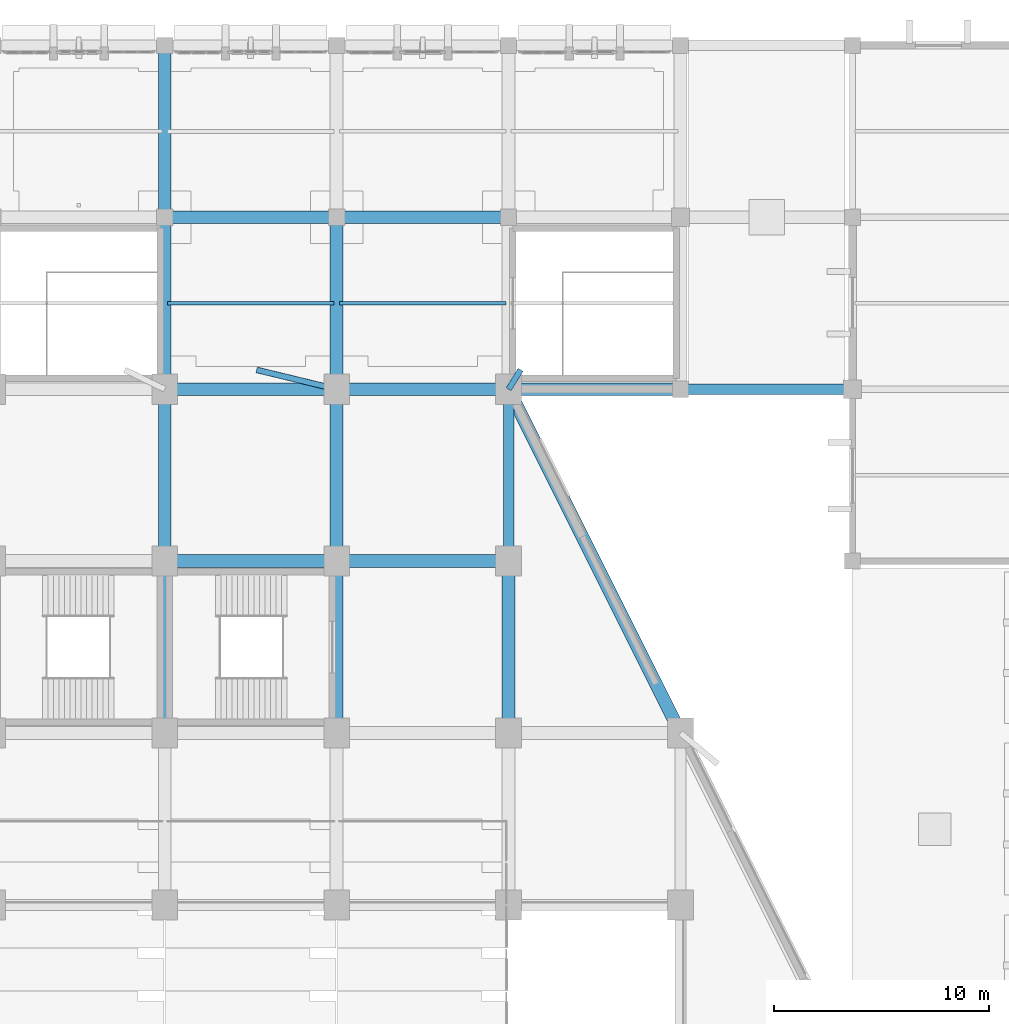
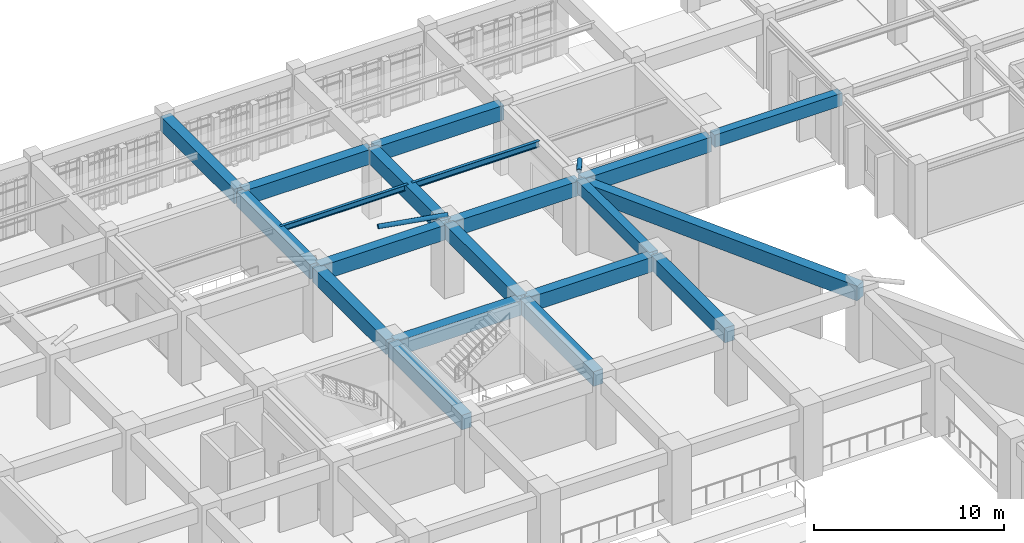
# One storey, part 32 of 155: 20 beams, 2 members.
"""IFC4 building model written with IfcOpenShell, lengths in metres."""

import ifcopenshell
import ifcopenshell.guid

model = None  # the IFC model being written
_history = None  # IfcOwnerHistory: only IFC2X3 demands one
_inside = {}  # id of a spatial element -> (the spatial element, [elements in it])
_under = {}  # id of a project, library or spatial element -> (it, [spatial elements below it])
_declared = {}  # id of a project -> (the project, [libraries it declares])
_typed = {}  # id of a type object -> (the type object, [elements of that type])
_made_of = {}  # id of a material, layer set ... -> (it, [elements and type objects made of it])


def new_model(schema):
    """Start an empty IFC model of exactly this schema.

    Asked for "IFC4X3", IfcOpenShell would pick the latest addendum, in which some entities
    have other attributes; the version numbers below select the first issue.
    IFC2X3 requires an IfcOwnerHistory on every rooted entity: one is made here for all.
    """
    global model, _history
    if schema == "IFC4X3":
        model = ifcopenshell.file(schema_version=(4, 3, 0, 0))
    else:
        model = ifcopenshell.file(schema=schema)
    _inside.clear()
    _under.clear()
    _declared.clear()
    _typed.clear()
    _made_of.clear()
    _history = None
    if model.schema == "IFC2X3":
        org = make("IfcOrganization", Name="unknown")
        user = make(
            "IfcPersonAndOrganization",
            ThePerson=make("IfcPerson", FamilyName="unknown"),
            TheOrganization=org,
        )
        app = make(
            "IfcApplication",
            ApplicationDeveloper=org,
            Version="unknown",
            ApplicationFullName="unknown",
            ApplicationIdentifier="unknown",
        )
        _history = make(
            "IfcOwnerHistory",
            OwningUser=user,
            OwningApplication=app,
            ChangeAction="ADDED",
            CreationDate=0,
        )
    return model


def make(cls, **values):
    """One entity of the class cls with the attributes given. An attribute that is None is left unset."""
    return model.create_entity(
        cls, **{name: value for name, value in values.items() if value is not None}
    )


def rooted(cls, **values):
    """An entity with a GlobalId (a new one), such as an element, a storey or a relation."""
    return make(cls, GlobalId=ifcopenshell.guid.new(), OwnerHistory=_history, **values)


def si_unit(unit_type, name, prefix=None):
    """IfcSIUnit, for example si_unit("LENGTHUNIT", "METRE", prefix="MILLI")."""
    return make("IfcSIUnit", UnitType=unit_type, Prefix=prefix, Name=name)


def assignment(units):
    """IfcUnitAssignment: the units of a project."""
    return None if units is None else make("IfcUnitAssignment", Units=units)


def point(xyz):
    """IfcCartesianPoint."""
    return None if xyz is None else make("IfcCartesianPoint", Coordinates=xyz)


def direction(xyz):
    """IfcDirection."""
    return None if xyz is None else make("IfcDirection", DirectionRatios=xyz)


def frame(location, z_axis=None, x_axis=None):
    """IfcAxis2Placement3D, a coordinate frame: its origin and axes. An axis left out is left unset."""
    return make(
        "IfcAxis2Placement3D",
        Location=point(location),
        Axis=direction(z_axis),
        RefDirection=direction(x_axis),
    )


def frame_2d(location, x_axis=None):
    """IfcAxis2Placement2D, a coordinate frame in the plane: its origin and x axis."""
    return make(
        "IfcAxis2Placement2D", Location=point(location), RefDirection=direction(x_axis)
    )


def origin():
    """The frame at (0, 0, 0) with its axes left unset."""
    return frame((0.0, 0.0, 0.0))


def origin_2d():
    """The frame at (0, 0) in the plane with its x axis left unset."""
    return frame_2d((0.0, 0.0))


def place(relative_to, where):
    """IfcLocalPlacement: puts the frame where relative to a parent placement (None: the world)."""
    return make(
        "IfcLocalPlacement", PlacementRelTo=relative_to, RelativePlacement=where
    )


def context(
    kind, dimensions, precision=None, world=None, true_north=None, identifier=None
):
    """IfcGeometricRepresentationContext, for example the 3D "Model" context."""
    return make(
        "IfcGeometricRepresentationContext",
        ContextIdentifier=identifier,
        ContextType=kind,
        CoordinateSpaceDimension=dimensions,
        Precision=precision,
        WorldCoordinateSystem=world,
        TrueNorth=true_north,
    )


def subcontext(parent, identifier, kind, view, scale=None):
    """IfcGeometricRepresentationSubContext, for example "Body" below "Model"."""
    return make(
        "IfcGeometricRepresentationSubContext",
        ContextIdentifier=identifier,
        ContextType=kind,
        ParentContext=parent,
        TargetScale=scale,
        TargetView=view,
    )


def project(units=None, contexts=None):
    """IfcProject with its units and contexts."""
    return rooted(
        "IfcProject",
        Name="project",
        RepresentationContexts=contexts,
        UnitsInContext=assignment(units),
    )


def spatial(cls, under=None, at=None, **own):
    """A site, building, storey or space (cls), placed at a placement, below another one or the project."""
    s = rooted(cls, ObjectPlacement=at, **own)
    if under is not None:
        _under.setdefault(under.id(), (under, []))[1].append(s)
    return s


def profile(cls, at=None, kind="AREA", **sizes):
    """A parametric profile (cls). Its sizes go by their IFC names, for example OverallWidth=200.0."""
    return make(cls, ProfileType=kind, Position=at, **sizes)


def rectangle(**sizes):
    """IfcRectangleProfileDef."""
    return profile("IfcRectangleProfileDef", **sizes)


def hollow_circle(**sizes):
    """IfcCircleHollowProfileDef."""
    return profile("IfcCircleHollowProfileDef", **sizes)


def i_section(**sizes):
    """IfcIShapeProfileDef."""
    return profile("IfcIShapeProfileDef", **sizes)


def extrude(swept, where, along, depth):
    """IfcExtrudedAreaSolid: the profile swept, set in the frame where, extruded along a direction by depth."""
    return make(
        "IfcExtrudedAreaSolid",
        SweptArea=swept,
        Position=where,
        ExtrudedDirection=direction(along),
        Depth=depth,
    )


def shape(context_of_items, identifier, shape_type, items):
    """IfcShapeRepresentation: the items that make up one representation, for example the "Body"."""
    return make(
        "IfcShapeRepresentation",
        ContextOfItems=context_of_items,
        RepresentationIdentifier=identifier,
        RepresentationType=shape_type,
        Items=items,
    )


def material(Name=None, Category=None):
    """IfcMaterial."""
    return make("IfcMaterial", Name=Name, Category=Category)


def material_profile(
    of_material, cross_section, Name=None, Category=None, Priority=None
):
    """IfcMaterialProfile: a cross section and its material."""
    return make(
        "IfcMaterialProfile",
        Name=Name,
        Material=of_material,
        Profile=cross_section,
        Priority=Priority,
        Category=Category,
    )


def profile_set(profiles, Name=None, composite=None):
    """IfcMaterialProfileSet."""
    return make(
        "IfcMaterialProfileSet",
        Name=Name,
        MaterialProfiles=profiles,
        CompositeProfile=composite,
    )


def made_of(thing, what):
    """Note that an element or type object is made of a material, layer set ...; save() writes the relation."""
    if what is not None:
        _made_of.setdefault(what.id(), (what, []))[1].append(thing)
    return thing


def type_object(cls, material=None, **own):
    """A type object (cls), such as IfcWallType, which elements share."""
    return made_of(rooted(cls, **own), material)


def element(
    cls,
    number,
    at=None,
    inside=None,
    cuts=None,
    type_object=None,
    material=None,
    context=None,
    identifier="Body",
    shape_type=None,
    held_by="IfcProductDefinitionShape",
    body=None,
    shapes=None,
    **own,
):
    """One element of the class cls, such as IfcWall. Its Tag is "e" and its number.

    at: its placement. inside: the storey or other place that contains it. cuts: it is an
    opening in that element (IfcRelVoidsElement). A single representation is given by context,
    identifier, shape_type and body (its items); several are given by shapes. held_by: the class
    of the entity that holds the representations. save() writes the other relations.
    """
    e = rooted(cls, Tag="e%d" % number, ObjectPlacement=at, **own)
    if body is not None:
        shapes = [shape(context, identifier, shape_type, body)]
    if shapes is not None:
        e.Representation = make(held_by, Representations=shapes)
    if inside is not None:
        _inside.setdefault(inside.id(), (inside, []))[1].append(e)
    if cuts is not None:
        rooted(
            "IfcRelVoidsElement", RelatingBuildingElement=cuts, RelatedOpeningElement=e
        )
    if type_object is not None:
        _typed.setdefault(type_object.id(), (type_object, []))[1].append(e)
    return made_of(e, material)


def aggregate(whole, parts):
    """IfcRelAggregates: a whole, such as a stair, and the parts it consists of."""
    return rooted("IfcRelAggregates", RelatingObject=whole, RelatedObjects=parts)


def save(model, path):
    """Write the relations noted so far, then the file.

    IfcRelAggregates (storeys below a building ...), IfcRelContainedInSpatialStructure (elements
    in a storey), IfcRelDefinesByType, IfcRelAssociatesMaterial and IfcRelDeclares: one each for
    every whole, place, type object, material and project.
    """
    for whole, parts in _under.values():
        aggregate(whole, parts)
    for where, things in _inside.values():
        rooted(
            "IfcRelContainedInSpatialStructure",
            RelatedElements=things,
            RelatingStructure=where,
        )
    for kind, things in _typed.values():
        rooted("IfcRelDefinesByType", RelatedObjects=things, RelatingType=kind)
    for what, things in _made_of.values():
        rooted("IfcRelAssociatesMaterial", RelatedObjects=things, RelatingMaterial=what)
    for by, libraries in _declared.values():
        rooted("IfcRelDeclares", RelatingContext=by, RelatedDefinitions=libraries)
    model.write(path)


model = new_model("IFC4")

# Units and contexts
model_context = context("Model", 3, precision=1e-05, world=origin(), true_north=direction((0.0, 1.0)))
body_context = subcontext(model_context, "Body", "Model", "MODEL_VIEW")
ifc_project = project(units=[si_unit("LENGTHUNIT", "METRE"), si_unit("AREAUNIT", "SQUARE_METRE"), si_unit("VOLUMEUNIT", "CUBIC_METRE"), si_unit("PLANEANGLEUNIT", "RADIAN"), si_unit("MASSUNIT", "GRAM", prefix="KILO")], contexts=[model_context])

# Site, building, storey
site_placement = place(None, origin())
site = spatial("IfcSite", under=ifc_project, at=site_placement, CompositionType="ELEMENT")
building_placement = place(site_placement, origin())
building = spatial("IfcBuilding", under=site, at=building_placement, Name="Tazarka Park Arena", CompositionType="ELEMENT")
storey_placement = place(building_placement, frame((0.0, 0.0, 5.39990234375)))
storey = spatial("IfcBuildingStorey", under=building, at=storey_placement, Name="L01", CompositionType="ELEMENT", Elevation=5.39990234375)

# Beams
ifc_material_1 = material(Name="Concrete C40/50", Category="concrete")
ifc_material_profile_1 = material_profile(ifc_material_1, rectangle(XDim=0.60009765625, YDim=0.949951171875, at=origin_2d()), Name="Concrete C40/50")
ifc_profile_set_1 = profile_set([ifc_material_profile_1], Name="Concrete C40/50")
beam_type_1 = type_object("IfcBeamType", Name="BM-B-03", PredefinedType="BEAM", material=ifc_profile_set_1)
for number, where, z_axis, x_axis, name in (
    (1, (96.0, 96.1201171875, 3.945068359375), (0.0, 1.0, 0.0), (-1.0, 0.0, 0.0), "GYM-L01-12-12"),
    (2, (96.1201171875, 104.0, 3.945068359375), (1.0, 0.0, 0.0), (0.0, 1.0, 0.0), "GXM-L01-12-13"),
    (3, (96.0, 104.1201171875, 3.945068359375), (0.0, 1.0, 0.0), (-1.0, 0.0, 0.0), "GYM-L01-12-13"),
    (4, (96.1201171875, 112.0, 3.945068359375), (1.0, 0.0, 0.0), (0.0, 1.0, 0.0), "GXM-L01-12-14"),
    (5, (96.0, 112.1201171875, 3.945068359375), (0.0, 1.0, 0.0), (-1.0, 0.0, 0.0), "GYM-L01-12-14"),
    (6, (96.1201171875, 120.0, 3.945068359375), (1.0, 0.0, 0.0), (0.0, 1.0, 0.0), "GXM-L01-12-15"),
    (7, (96.0, 120.1201171875, 3.945068359375), (0.0, 1.0, 0.0), (-1.0, 0.0, 0.0), "GYM-L01-12-15"),
    (8, (104.0, 96.1201171875, 3.945068359375), (0.0, 1.0, 0.0), (-1.0, 0.0, 0.0), "GYM-L01-13-12"),
    (9, (104.1201171875, 104.0, 3.945068359375), (1.0, 0.0, 0.0), (0.0, 1.0, 0.0), "GXM-L01-13-13"),
    (10, (104.0, 104.1201171875, 3.945068359375), (0.0, 1.0, 0.0), (-1.0, 0.0, 0.0), "GYM-L01-13-13"),
    (11, (104.1201171875, 112.0, 3.945068359375), (1.0, 0.0, 0.0), (0.0, 1.0, 0.0), "GXM-L01-13-14"),
    (12, (104.0, 112.1201171875, 3.945068359375), (0.0, 1.0, 0.0), (-1.0, 0.0, 0.0), "GYM-L01-13-14"),
    (13, (104.1201171875, 120.0, 3.945068359375), (1.0, 0.0, 0.0), (0.0, 1.0, 0.0), "GXM-L01-13-15"),
    (14, (112.0, 96.1201171875, 3.945068359375), (0.0, 1.0, 0.0), (-1.0, 0.0, 0.0), "GYM-L01-14-12"),
    (15, (112.1201171875, 112.0, 3.945068359375), (1.0, 0.0, 0.0), (0.0, 1.0, 0.0), "GXM-L01-14-14"),
):
    element("IfcBeam", number, at=place(storey_placement, frame(where, z_axis=z_axis, x_axis=x_axis)), inside=storey, type_object=beam_type_1, Name=name, PredefinedType="BEAM", context=body_context, shape_type="SweptSolid", body=[
        extrude(rectangle(XDim=0.60009765625, YDim=0.949951171875, at=origin_2d()), origin(), (0.0, 0.0, 1.0), 7.759765625),
    ])
ifc_material_2 = material(Name="Steel S355", Category="steel")
ifc_material_profile_2 = material_profile(ifc_material_2, i_section(OverallWidth=0.169921875, OverallDepth=0.360107421875, WebThickness=0.008056640625, FlangeThickness=0.0126953125, FilletRadius=0.01806640625, at=origin_2d()), Name="Steel S355")
ifc_profile_set_2 = profile_set([ifc_material_profile_2], Name="Steel S355")
beam_type_2 = type_object("IfcBeamType", Name="BM-J-02", PredefinedType="JOIST", material=ifc_profile_set_2)
beam_1_placement = place(storey_placement, frame((96.1201171875, 116.0, 4.239990234375), z_axis=(1.0, 0.0, 0.0), x_axis=(0.0, 1.0, 0.0)))
element("IfcBeam", 16, at=beam_1_placement, inside=storey, type_object=beam_type_2, Name="JST-L01-12-14", PredefinedType="JOIST", context=body_context, shape_type="SweptSolid", body=[
    extrude(i_section(OverallWidth=0.169921875, OverallDepth=0.360107421875, WebThickness=0.008056640625, FlangeThickness=0.0126953125, FilletRadius=0.01806640625, at=origin_2d()), origin(), (0.0, 0.0, 1.0), 7.759765625),
])
ifc_material_3 = material(Name="Steel S355", Category="steel")
ifc_material_profile_3 = material_profile(ifc_material_3, i_section(OverallWidth=0.179931640625, OverallDepth=0.39990234375, WebThickness=0.008544921875, FlangeThickness=0.013427734375, FilletRadius=0.02099609375, at=origin_2d()), Name="Steel S355")
ifc_profile_set_3 = profile_set([ifc_material_profile_3], Name="Steel S355")
beam_type_3 = type_object("IfcBeamType", Name="BM-J-03", PredefinedType="JOIST", material=ifc_profile_set_3)
beam_2_placement = place(storey_placement, frame((104.1201171875, 116.0, 4.22021484375), z_axis=(1.0, 0.0, 0.0), x_axis=(0.0, 1.0, 0.0)))
element("IfcBeam", 17, at=beam_2_placement, inside=storey, type_object=beam_type_3, Name="JST-L01-13-14", PredefinedType="JOIST", context=body_context, shape_type="SweptSolid", body=[
    extrude(i_section(OverallWidth=0.179931640625, OverallDepth=0.39990234375, WebThickness=0.008544921875, FlangeThickness=0.013427734375, FilletRadius=0.02099609375, at=origin_2d()), origin(), (0.0, 0.0, 1.0), 7.759765625),
])
ifc_material_4 = material(Name="Concrete C40/50", Category="concrete")
ifc_material_profile_4 = material_profile(ifc_material_4, rectangle(XDim=0.5, YDim=0.800048828125, at=origin_2d()), Name="Concrete C40/50")
ifc_profile_set_4 = profile_set([ifc_material_profile_4], Name="Concrete C40/50")
beam_type_4 = type_object("IfcBeamType", Name="BM-SP-01", PredefinedType="SPANDREL", material=ifc_profile_set_4)
for number, where, z_axis, x_axis, name in (
    (18, (112.0, 104.1201171875, 4.02001953125), (0.0, 1.0, 0.0), (-1.0, 0.0, 0.0), "GYM-L01-14-13"),
    (19, (120.1201171875, 112.0, 4.02001953125), (1.0, 0.0, 0.0), (0.0, 1.0, 0.0), "GXM-L01-15-14"),
):
    element("IfcBeam", number, at=place(storey_placement, frame(where, z_axis=z_axis, x_axis=x_axis)), inside=storey, type_object=beam_type_4, Name=name, PredefinedType="SPANDREL", context=body_context, shape_type="SweptSolid", body=[
        extrude(rectangle(XDim=0.5, YDim=0.800048828125, at=origin_2d()), origin(), (0.0, 0.0, 1.0), 7.759765625),
    ])
ifc_material_5 = material(Name="Concrete C40/50", Category="concrete")
ifc_material_profile_5 = material_profile(ifc_material_5, rectangle(XDim=0.60009765625, YDim=0.949951171875, at=origin_2d()), Name="Concrete C40/50")
ifc_profile_set_5 = profile_set([ifc_material_profile_5], Name="Concrete C40/50")
beam_type_5 = type_object("IfcBeamType", Name="BM-SP-03", PredefinedType="SPANDREL", material=ifc_profile_set_5)
beam_3_placement = place(storey_placement, frame((119.9462890625, 96.107421875, 3.945068359375), z_axis=(-0.4472135955, 0.894427191, 0.0), x_axis=(-0.894427191, -0.4472135955, 0.0)))
element("IfcBeam", 20, at=beam_3_placement, inside=storey, type_object=beam_type_5, Name="RING BEAM SP-03-L01-12", PredefinedType="SPANDREL", context=body_context, shape_type="SweptSolid", body=[
    extrude(rectangle(XDim=0.60009765625, YDim=0.949951171875, at=origin_2d()), origin(), (0.0, 0.0, 1.0), 17.6484375),
])

# Members
ifc_material_6 = material(Name="Steel S355", Category="steel")
ifc_material_profile_6 = material_profile(ifc_material_6, hollow_circle(Radius=0.136474609375, WallThickness=0.012451171875, at=origin_2d()), Name="Steel S355")
ifc_profile_set_6 = profile_set([ifc_material_profile_6], Name="Steel S355")
member_type = type_object("IfcMemberType", Name="MEM-SR-01", PredefinedType="STRUT", material=ifc_profile_set_6)
member_1_placement = place(storey_placement, frame((112.0, 112.0, 4.800048828125), z_axis=(0.525718874276, 0.850658371633, 0.0), x_axis=(-0.850658371633, 0.525718874276, 0.0)))
element("IfcMember", 21, at=member_1_placement, inside=storey, type_object=member_type, Name="FSB-12", PredefinedType="STRUT", context=body_context, shape_type="SweptSolid", body=[
    extrude(hollow_circle(Radius=0.136474609375, WallThickness=0.012451171875, at=origin_2d()), origin(), (0.0, 0.0, 1.0), 1.057861328125),
])
member_2_placement = place(storey_placement, frame((104.0, 112.0, 4.800048828125), z_axis=(-0.971992374621, 0.235012390479, 0.0), x_axis=(-0.235012390479, -0.971992374621, 0.0)))
element("IfcMember", 22, at=member_2_placement, inside=storey, type_object=member_type, Name="FSB-13", PredefinedType="STRUT", context=body_context, shape_type="SweptSolid", body=[
    extrude(hollow_circle(Radius=0.136474609375, WallThickness=0.012451171875, at=origin_2d()), origin(), (0.0, 0.0, 1.0), 3.8291015625),
])

save(model, "model.ifc")
